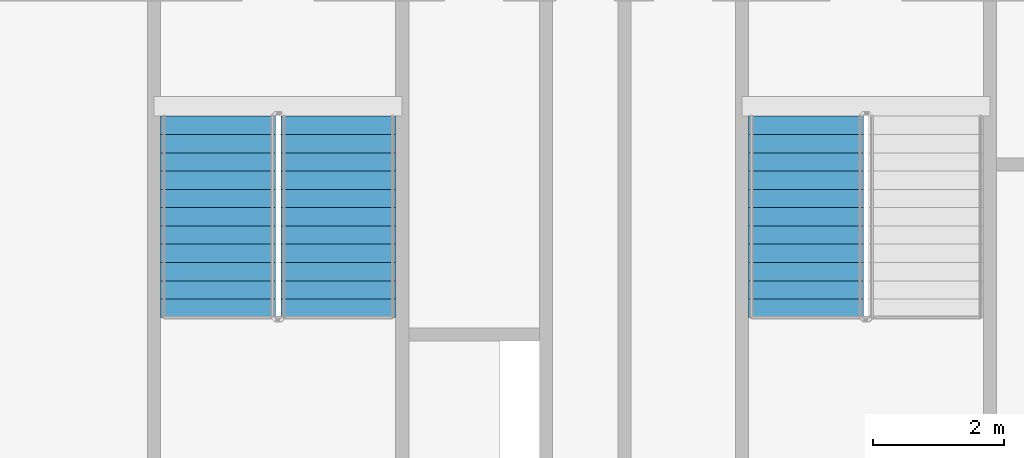
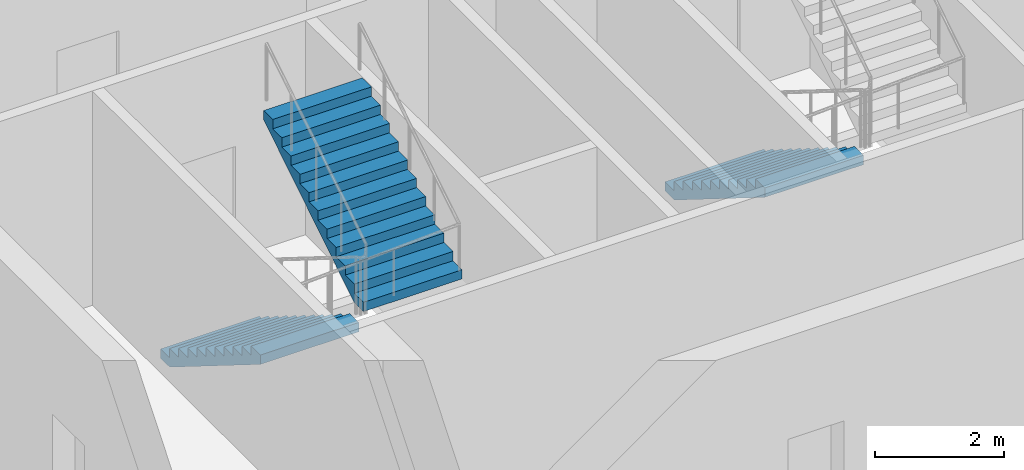
# One storey, part 26 of 33: 3 stair flights, 2 elements without a shape of their own.
"""IFC4 building model written with IfcOpenShell, lengths in metres."""

from ifc_helpers import new_model, si_unit, direction, frame, origin, place, context, subcontext, project, spatial, faceted_brep, material, type_object, element, aggregate, save


model = new_model("IFC4")

# Units and contexts
model_context = context("Model", 3, precision=1e-05, world=origin(), true_north=direction((0.0, 1.0)))
body_context = subcontext(model_context, "Body", "Model", "MODEL_VIEW")
ifc_project = project(units=[si_unit("LENGTHUNIT", "METRE"), si_unit("AREAUNIT", "SQUARE_METRE"), si_unit("VOLUMEUNIT", "CUBIC_METRE"), si_unit("PLANEANGLEUNIT", "RADIAN"), si_unit("MASSUNIT", "GRAM", prefix="KILO")], contexts=[model_context])

# Site, building, storey
site_placement = place(None, origin())
site = spatial("IfcSite", under=ifc_project, at=site_placement, CompositionType="ELEMENT")
building_placement = place(site_placement, origin())
building = spatial("IfcBuilding", under=site, at=building_placement, Name="Tarsis Ring Headquarters", CompositionType="ELEMENT")
storey_placement = place(building_placement, frame((0.0, 0.0, 369.199951171875)))
storey = spatial("IfcBuildingStorey", under=building, at=storey_placement, Name="L87", CompositionType="ELEMENT", Elevation=369.199951171875)

# Stair, stair flights
ifc_material_1 = material(Name="Core stair 1760")
stair_type = type_object("IfcStairType", Name="Core stair 1760", PredefinedType="HALF_TURN_STAIR", material=ifc_material_1)
stair_1_placement = place(storey_placement, origin())
stair_1 = element("IfcStair", 1, at=stair_1_placement, inside=storey, type_object=stair_type, Name="L87 Exit stair C", PredefinedType="HALF_TURN_STAIR")
ifc_material_2 = material(Name="Concrete C40/50", Category="concrete")
stair_flight_type = type_object("IfcStairFlightType", Name="Core stair flight 1760", PredefinedType="STRAIGHT", material=ifc_material_2)
stair_flight_1_placement = place(storey_placement, frame((-5.419921875, -3.659912109375, 0.0), z_axis=(0.0, 0.0, 1.0), x_axis=(0.0, -1.0, 0.0)))
stair_flight_1 = element("IfcStairFlight", 2, at=stair_flight_1_placement, type_object=stair_flight_type, Name="Stair ST3 flight 1", NumberOfRisers=12, NumberOfTreads=11, PredefinedType="STRAIGHT", RiserHeight=0.175, TreadLength=0.28, context=body_context, shape_type="Brep", body=[
    faceted_brep([(0.0, 0.8798828125, 0.0), (0.0, 0.8798828125, 0.175048828125), (0.280029296875, 0.8798828125, 0.175048828125), (0.280029296875, 0.8798828125, 0.35009765625), (0.56005859375, 0.8798828125, 0.35009765625), (0.56005859375, 0.8798828125, 0.52490234375), (0.840087890625, 0.8798828125, 0.52490234375), (0.840087890625, 0.8798828125, 0.699951171875), (1.1201171875, 0.8798828125, 0.699951171875), (1.1201171875, 0.8798828125, 0.875), (1.39990234375, 0.8798828125, 0.875), (1.39990234375, 0.8798828125, 1.050048828125), (1.679931640625, 0.8798828125, 1.050048828125), (1.679931640625, 0.8798828125, 1.22509765625), (1.9599609375, 0.8798828125, 1.22509765625), (1.9599609375, 0.8798828125, 1.39990234375), (2.239990234375, 0.8798828125, 1.39990234375), (2.239990234375, 0.8798828125, 1.574951171875), (2.52001953125, 0.8798828125, 1.574951171875), (2.52001953125, 0.8798828125, 1.75), (2.800048828125, 0.8798828125, 1.75), (2.800048828125, 0.8798828125, 1.925048828125), (3.080078125, 0.8798828125, 1.925048828125), (3.080078125, 0.8798828125, 1.748291015625), (0.28271484375, 0.8798828125, 0.0), (0.28271484375, -0.8798828125, 0.0), (3.080078125, -0.8798828125, 1.748291015625), (3.080078125, -0.8798828125, 1.925048828125), (2.800048828125, -0.8798828125, 1.925048828125), (2.800048828125, -0.8798828125, 1.75), (2.52001953125, -0.8798828125, 1.75), (2.52001953125, -0.8798828125, 1.574951171875), (2.239990234375, -0.8798828125, 1.574951171875), (2.239990234375, -0.8798828125, 1.39990234375), (1.9599609375, -0.8798828125, 1.39990234375), (1.9599609375, -0.8798828125, 1.22509765625), (1.679931640625, -0.8798828125, 1.22509765625), (1.679931640625, -0.8798828125, 1.050048828125), (1.39990234375, -0.8798828125, 1.050048828125), (1.39990234375, -0.8798828125, 0.875), (1.1201171875, -0.8798828125, 0.875), (1.1201171875, -0.8798828125, 0.699951171875), (0.840087890625, -0.8798828125, 0.699951171875), (0.840087890625, -0.8798828125, 0.52490234375), (0.56005859375, -0.8798828125, 0.52490234375), (0.56005859375, -0.8798828125, 0.35009765625), (0.280029296875, -0.8798828125, 0.35009765625), (0.280029296875, -0.8798828125, 0.175048828125), (0.0, -0.8798828125, 0.175048828125), (0.0, -0.8798828125, 0.0), (0.0, -0.43994140625, 0.175048828125), (0.0, -0.43994140625, 0.0), (0.0, 0.0, 0.175048828125), (0.0, 0.0, 0.0), (0.0, 0.43994140625, 0.175048828125), (0.0, 0.43994140625, 0.0), (0.280029296875, -0.43994140625, 0.175048828125), (0.280029296875, 0.0, 0.175048828125), (0.280029296875, 0.43994140625, 0.175048828125), (0.280029296875, -0.43994140625, 0.35009765625), (0.280029296875, 0.0, 0.35009765625), (0.280029296875, 0.43994140625, 0.35009765625), (0.56005859375, -0.43994140625, 0.35009765625), (0.56005859375, 0.0, 0.35009765625), (0.56005859375, 0.43994140625, 0.35009765625), (0.56005859375, -0.43994140625, 0.52490234375), (0.56005859375, 0.0, 0.52490234375), (0.56005859375, 0.43994140625, 0.52490234375), (0.840087890625, -0.43994140625, 0.52490234375), (0.840087890625, 0.0, 0.52490234375), (0.840087890625, 0.43994140625, 0.52490234375), (0.840087890625, -0.43994140625, 0.699951171875), (0.840087890625, 0.0, 0.699951171875), (0.840087890625, 0.43994140625, 0.699951171875), (1.1201171875, -0.43994140625, 0.699951171875), (1.1201171875, 0.0, 0.699951171875), (1.1201171875, 0.43994140625, 0.699951171875), (1.1201171875, -0.43994140625, 0.875), (1.1201171875, 0.0, 0.875), (1.1201171875, 0.43994140625, 0.875), (1.39990234375, -0.43994140625, 0.875), (1.39990234375, 0.0, 0.875), (1.39990234375, 0.43994140625, 0.875), (1.39990234375, -0.43994140625, 1.050048828125), (1.39990234375, 0.0, 1.050048828125), (1.39990234375, 0.43994140625, 1.050048828125), (1.679931640625, -0.43994140625, 1.050048828125), (1.679931640625, 0.0, 1.050048828125), (1.679931640625, 0.43994140625, 1.050048828125), (1.679931640625, -0.43994140625, 1.22509765625), (1.679931640625, 0.0, 1.22509765625), (1.679931640625, 0.43994140625, 1.22509765625), (1.9599609375, -0.43994140625, 1.22509765625), (1.9599609375, 0.0, 1.22509765625), (1.9599609375, 0.43994140625, 1.22509765625), (1.9599609375, -0.43994140625, 1.39990234375), (1.9599609375, 0.0, 1.39990234375), (1.9599609375, 0.43994140625, 1.39990234375), (2.239990234375, -0.43994140625, 1.39990234375), (2.239990234375, 0.0, 1.39990234375), (2.239990234375, 0.43994140625, 1.39990234375), (2.239990234375, -0.43994140625, 1.574951171875), (2.239990234375, 0.0, 1.574951171875), (2.239990234375, 0.43994140625, 1.574951171875), (2.52001953125, -0.43994140625, 1.574951171875), (2.52001953125, 0.0, 1.574951171875), (2.52001953125, 0.43994140625, 1.574951171875), (2.52001953125, -0.43994140625, 1.75), (2.52001953125, 0.0, 1.75), (2.52001953125, 0.43994140625, 1.75), (2.800048828125, -0.43994140625, 1.75), (2.800048828125, 0.0, 1.75), (2.800048828125, 0.43994140625, 1.75), (2.800048828125, -0.43994140625, 1.925048828125), (2.800048828125, 0.0, 1.925048828125), (2.800048828125, 0.43994140625, 1.925048828125), (3.080078125, -0.43994140625, 1.925048828125), (3.080078125, 0.0, 1.925048828125), (3.080078125, 0.43994140625, 1.925048828125), (3.080078125, -0.43994140625, 1.748291015625), (3.080078125, 0.0, 1.748291015625), (3.080078125, 0.43994140625, 1.748291015625), (0.28271484375, -0.43994140625, 0.0), (0.28271484375, 0.0, 0.0), (0.28271484375, 0.43994140625, 0.0)], [[[0, 1, 2, 3, 4, 5, 6, 7, 8, 9, 10, 11, 12, 13, 14, 15, 16, 17, 18, 19, 20, 21, 22, 23, 24]], [[25, 26, 27, 28, 29, 30, 31, 32, 33, 34, 35, 36, 37, 38, 39, 40, 41, 42, 43, 44, 45, 46, 47, 48, 49]], [[49, 48, 50, 51]], [[51, 50, 52, 53]], [[53, 52, 54, 55]], [[55, 54, 1, 0]], [[48, 47, 56, 50]], [[50, 56, 57, 52]], [[52, 57, 58, 54]], [[54, 58, 2, 1]], [[47, 46, 59, 56]], [[56, 59, 60, 57]], [[57, 60, 61, 58]], [[58, 61, 3, 2]], [[46, 45, 62, 59]], [[59, 62, 63, 60]], [[60, 63, 64, 61]], [[61, 64, 4, 3]], [[45, 44, 65, 62]], [[62, 65, 66, 63]], [[63, 66, 67, 64]], [[64, 67, 5, 4]], [[44, 43, 68, 65]], [[65, 68, 69, 66]], [[66, 69, 70, 67]], [[67, 70, 6, 5]], [[43, 42, 71, 68]], [[68, 71, 72, 69]], [[69, 72, 73, 70]], [[70, 73, 7, 6]], [[42, 41, 74, 71]], [[71, 74, 75, 72]], [[72, 75, 76, 73]], [[73, 76, 8, 7]], [[41, 40, 77, 74]], [[74, 77, 78, 75]], [[75, 78, 79, 76]], [[76, 79, 9, 8]], [[40, 39, 80, 77]], [[77, 80, 81, 78]], [[78, 81, 82, 79]], [[79, 82, 10, 9]], [[39, 38, 83, 80]], [[80, 83, 84, 81]], [[81, 84, 85, 82]], [[82, 85, 11, 10]], [[38, 37, 86, 83]], [[83, 86, 87, 84]], [[84, 87, 88, 85]], [[85, 88, 12, 11]], [[37, 36, 89, 86]], [[86, 89, 90, 87]], [[87, 90, 91, 88]], [[88, 91, 13, 12]], [[36, 35, 92, 89]], [[89, 92, 93, 90]], [[90, 93, 94, 91]], [[91, 94, 14, 13]], [[35, 34, 95, 92]], [[92, 95, 96, 93]], [[93, 96, 97, 94]], [[94, 97, 15, 14]], [[34, 33, 98, 95]], [[95, 98, 99, 96]], [[96, 99, 100, 97]], [[97, 100, 16, 15]], [[33, 32, 101, 98]], [[98, 101, 102, 99]], [[99, 102, 103, 100]], [[100, 103, 17, 16]], [[32, 31, 104, 101]], [[101, 104, 105, 102]], [[102, 105, 106, 103]], [[103, 106, 18, 17]], [[31, 30, 107, 104]], [[104, 107, 108, 105]], [[105, 108, 109, 106]], [[106, 109, 19, 18]], [[30, 29, 110, 107]], [[107, 110, 111, 108]], [[108, 111, 112, 109]], [[109, 112, 20, 19]], [[29, 28, 113, 110]], [[110, 113, 114, 111]], [[111, 114, 115, 112]], [[112, 115, 21, 20]], [[28, 27, 116, 113]], [[113, 116, 117, 114]], [[114, 117, 118, 115]], [[115, 118, 22, 21]], [[27, 26, 119, 116]], [[116, 119, 120, 117]], [[117, 120, 121, 118]], [[118, 121, 23, 22]], [[26, 25, 122, 119]], [[119, 122, 123, 120]], [[120, 123, 124, 121]], [[121, 124, 24, 23]], [[25, 49, 51, 122]], [[122, 51, 53, 123]], [[123, 53, 55, 124]], [[124, 55, 0, 24]]]),
])
stair_flight_2_placement = place(storey_placement, frame((-3.580078125, -6.739990234375, 2.10009765625), z_axis=(0.0, 0.0, 1.0), x_axis=(0.0, 1.0, 0.0)))
stair_flight_2 = element("IfcStairFlight", 3, at=stair_flight_2_placement, type_object=stair_flight_type, Name="Stair ST3 flight 2", NumberOfRisers=12, NumberOfTreads=11, PredefinedType="STRAIGHT", RiserHeight=0.175, TreadLength=0.28, context=body_context, shape_type="Brep", body=[
    faceted_brep([(0.0, 0.8798828125, 0.0), (0.0, 0.8798828125, 0.175048828125), (0.280029296875, 0.8798828125, 0.175048828125), (0.280029296875, 0.8798828125, 0.35009765625), (0.56005859375, 0.8798828125, 0.35009765625), (0.56005859375, 0.8798828125, 0.52490234375), (0.840087890625, 0.8798828125, 0.52490234375), (0.840087890625, 0.8798828125, 0.699951171875), (1.1201171875, 0.8798828125, 0.699951171875), (1.1201171875, 0.8798828125, 0.875), (1.39990234375, 0.8798828125, 0.875), (1.39990234375, 0.8798828125, 1.050048828125), (1.679931640625, 0.8798828125, 1.050048828125), (1.679931640625, 0.8798828125, 1.22509765625), (1.9599609375, 0.8798828125, 1.22509765625), (1.9599609375, 0.8798828125, 1.39990234375), (2.239990234375, 0.8798828125, 1.39990234375), (2.239990234375, 0.8798828125, 1.574951171875), (2.52001953125, 0.8798828125, 1.574951171875), (2.52001953125, 0.8798828125, 1.75), (2.800048828125, 0.8798828125, 1.75), (2.800048828125, 0.8798828125, 1.925048828125), (3.080078125, 0.8798828125, 1.925048828125), (3.080078125, 0.8798828125, 1.748291015625), (0.28271484375, 0.8798828125, 0.0), (0.28271484375, -0.8798828125, 0.0), (3.080078125, -0.8798828125, 1.748291015625), (3.080078125, -0.8798828125, 1.925048828125), (2.800048828125, -0.8798828125, 1.925048828125), (2.800048828125, -0.8798828125, 1.75), (2.52001953125, -0.8798828125, 1.75), (2.52001953125, -0.8798828125, 1.574951171875), (2.239990234375, -0.8798828125, 1.574951171875), (2.239990234375, -0.8798828125, 1.39990234375), (1.9599609375, -0.8798828125, 1.39990234375), (1.9599609375, -0.8798828125, 1.22509765625), (1.679931640625, -0.8798828125, 1.22509765625), (1.679931640625, -0.8798828125, 1.050048828125), (1.39990234375, -0.8798828125, 1.050048828125), (1.39990234375, -0.8798828125, 0.875), (1.1201171875, -0.8798828125, 0.875), (1.1201171875, -0.8798828125, 0.699951171875), (0.840087890625, -0.8798828125, 0.699951171875), (0.840087890625, -0.8798828125, 0.52490234375), (0.56005859375, -0.8798828125, 0.52490234375), (0.56005859375, -0.8798828125, 0.35009765625), (0.280029296875, -0.8798828125, 0.35009765625), (0.280029296875, -0.8798828125, 0.175048828125), (0.0, -0.8798828125, 0.175048828125), (0.0, -0.8798828125, 0.0), (0.0, -0.43994140625, 0.175048828125), (0.0, -0.43994140625, 0.0), (0.0, 0.0, 0.175048828125), (0.0, 0.0, 0.0), (0.0, 0.43994140625, 0.175048828125), (0.0, 0.43994140625, 0.0), (0.280029296875, -0.43994140625, 0.175048828125), (0.280029296875, 0.0, 0.175048828125), (0.280029296875, 0.43994140625, 0.175048828125), (0.280029296875, -0.43994140625, 0.35009765625), (0.280029296875, 0.0, 0.35009765625), (0.280029296875, 0.43994140625, 0.35009765625), (0.56005859375, -0.43994140625, 0.35009765625), (0.56005859375, 0.0, 0.35009765625), (0.56005859375, 0.43994140625, 0.35009765625), (0.56005859375, -0.43994140625, 0.52490234375), (0.56005859375, 0.0, 0.52490234375), (0.56005859375, 0.43994140625, 0.52490234375), (0.840087890625, -0.43994140625, 0.52490234375), (0.840087890625, 0.0, 0.52490234375), (0.840087890625, 0.43994140625, 0.52490234375), (0.840087890625, -0.43994140625, 0.699951171875), (0.840087890625, 0.0, 0.699951171875), (0.840087890625, 0.43994140625, 0.699951171875), (1.1201171875, -0.43994140625, 0.699951171875), (1.1201171875, 0.0, 0.699951171875), (1.1201171875, 0.43994140625, 0.699951171875), (1.1201171875, -0.43994140625, 0.875), (1.1201171875, 0.0, 0.875), (1.1201171875, 0.43994140625, 0.875), (1.39990234375, -0.43994140625, 0.875), (1.39990234375, 0.0, 0.875), (1.39990234375, 0.43994140625, 0.875), (1.39990234375, -0.43994140625, 1.050048828125), (1.39990234375, 0.0, 1.050048828125), (1.39990234375, 0.43994140625, 1.050048828125), (1.679931640625, -0.43994140625, 1.050048828125), (1.679931640625, 0.0, 1.050048828125), (1.679931640625, 0.43994140625, 1.050048828125), (1.679931640625, -0.43994140625, 1.22509765625), (1.679931640625, 0.0, 1.22509765625), (1.679931640625, 0.43994140625, 1.22509765625), (1.9599609375, -0.43994140625, 1.22509765625), (1.9599609375, 0.0, 1.22509765625), (1.9599609375, 0.43994140625, 1.22509765625), (1.9599609375, -0.43994140625, 1.39990234375), (1.9599609375, 0.0, 1.39990234375), (1.9599609375, 0.43994140625, 1.39990234375), (2.239990234375, -0.43994140625, 1.39990234375), (2.239990234375, 0.0, 1.39990234375), (2.239990234375, 0.43994140625, 1.39990234375), (2.239990234375, -0.43994140625, 1.574951171875), (2.239990234375, 0.0, 1.574951171875), (2.239990234375, 0.43994140625, 1.574951171875), (2.52001953125, -0.43994140625, 1.574951171875), (2.52001953125, 0.0, 1.574951171875), (2.52001953125, 0.43994140625, 1.574951171875), (2.52001953125, -0.43994140625, 1.75), (2.52001953125, 0.0, 1.75), (2.52001953125, 0.43994140625, 1.75), (2.800048828125, -0.43994140625, 1.75), (2.800048828125, 0.0, 1.75), (2.800048828125, 0.43994140625, 1.75), (2.800048828125, -0.43994140625, 1.925048828125), (2.800048828125, 0.0, 1.925048828125), (2.800048828125, 0.43994140625, 1.925048828125), (3.080078125, -0.43994140625, 1.925048828125), (3.080078125, 0.0, 1.925048828125), (3.080078125, 0.43994140625, 1.925048828125), (3.080078125, -0.43994140625, 1.748291015625), (3.080078125, 0.0, 1.748291015625), (3.080078125, 0.43994140625, 1.748291015625), (0.28271484375, -0.43994140625, 0.0), (0.28271484375, 0.0, 0.0), (0.28271484375, 0.43994140625, 0.0)], [[[0, 1, 2, 3, 4, 5, 6, 7, 8, 9, 10, 11, 12, 13, 14, 15, 16, 17, 18, 19, 20, 21, 22, 23, 24]], [[25, 26, 27, 28, 29, 30, 31, 32, 33, 34, 35, 36, 37, 38, 39, 40, 41, 42, 43, 44, 45, 46, 47, 48, 49]], [[49, 48, 50, 51]], [[51, 50, 52, 53]], [[53, 52, 54, 55]], [[55, 54, 1, 0]], [[48, 47, 56, 50]], [[50, 56, 57, 52]], [[52, 57, 58, 54]], [[54, 58, 2, 1]], [[47, 46, 59, 56]], [[56, 59, 60, 57]], [[57, 60, 61, 58]], [[58, 61, 3, 2]], [[46, 45, 62, 59]], [[59, 62, 63, 60]], [[60, 63, 64, 61]], [[61, 64, 4, 3]], [[45, 44, 65, 62]], [[62, 65, 66, 63]], [[63, 66, 67, 64]], [[64, 67, 5, 4]], [[44, 43, 68, 65]], [[65, 68, 69, 66]], [[66, 69, 70, 67]], [[67, 70, 6, 5]], [[43, 42, 71, 68]], [[68, 71, 72, 69]], [[69, 72, 73, 70]], [[70, 73, 7, 6]], [[42, 41, 74, 71]], [[71, 74, 75, 72]], [[72, 75, 76, 73]], [[73, 76, 8, 7]], [[41, 40, 77, 74]], [[74, 77, 78, 75]], [[75, 78, 79, 76]], [[76, 79, 9, 8]], [[40, 39, 80, 77]], [[77, 80, 81, 78]], [[78, 81, 82, 79]], [[79, 82, 10, 9]], [[39, 38, 83, 80]], [[80, 83, 84, 81]], [[81, 84, 85, 82]], [[82, 85, 11, 10]], [[38, 37, 86, 83]], [[83, 86, 87, 84]], [[84, 87, 88, 85]], [[85, 88, 12, 11]], [[37, 36, 89, 86]], [[86, 89, 90, 87]], [[87, 90, 91, 88]], [[88, 91, 13, 12]], [[36, 35, 92, 89]], [[89, 92, 93, 90]], [[90, 93, 94, 91]], [[91, 94, 14, 13]], [[35, 34, 95, 92]], [[92, 95, 96, 93]], [[93, 96, 97, 94]], [[94, 97, 15, 14]], [[34, 33, 98, 95]], [[95, 98, 99, 96]], [[96, 99, 100, 97]], [[97, 100, 16, 15]], [[33, 32, 101, 98]], [[98, 101, 102, 99]], [[99, 102, 103, 100]], [[100, 103, 17, 16]], [[32, 31, 104, 101]], [[101, 104, 105, 102]], [[102, 105, 106, 103]], [[103, 106, 18, 17]], [[31, 30, 107, 104]], [[104, 107, 108, 105]], [[105, 108, 109, 106]], [[106, 109, 19, 18]], [[30, 29, 110, 107]], [[107, 110, 111, 108]], [[108, 111, 112, 109]], [[109, 112, 20, 19]], [[29, 28, 113, 110]], [[110, 113, 114, 111]], [[111, 114, 115, 112]], [[112, 115, 21, 20]], [[28, 27, 116, 113]], [[113, 116, 117, 114]], [[114, 117, 118, 115]], [[115, 118, 22, 21]], [[27, 26, 119, 116]], [[116, 119, 120, 117]], [[117, 120, 121, 118]], [[118, 121, 23, 22]], [[26, 25, 122, 119]], [[119, 122, 123, 120]], [[120, 123, 124, 121]], [[121, 124, 24, 23]], [[25, 49, 51, 122]], [[122, 51, 53, 123]], [[123, 53, 55, 124]], [[124, 55, 0, 24]]]),
])
aggregate(stair_1, [stair_flight_1, stair_flight_2])

# Stair, stair flight
stair_2_placement = place(storey_placement, origin())
stair_2 = element("IfcStair", 4, at=stair_2_placement, inside=storey, type_object=stair_type, Name="L87 Exit stair D", PredefinedType="HALF_TURN_STAIR")
stair_flight_3_placement = place(storey_placement, frame((3.580078125, -3.659912109375, 0.0), z_axis=(0.0, 0.0, 1.0), x_axis=(0.0, -1.0, 0.0)))
stair_flight_3 = element("IfcStairFlight", 5, at=stair_flight_3_placement, type_object=stair_flight_type, Name="Stair ST4 flight 1", NumberOfRisers=12, NumberOfTreads=11, PredefinedType="STRAIGHT", RiserHeight=0.175, TreadLength=0.28, context=body_context, shape_type="Brep", body=[
    faceted_brep([(0.0, 0.8798828125, 0.0), (0.0, 0.8798828125, 0.175048828125), (0.280029296875, 0.8798828125, 0.175048828125), (0.280029296875, 0.8798828125, 0.35009765625), (0.56005859375, 0.8798828125, 0.35009765625), (0.56005859375, 0.8798828125, 0.52490234375), (0.840087890625, 0.8798828125, 0.52490234375), (0.840087890625, 0.8798828125, 0.699951171875), (1.1201171875, 0.8798828125, 0.699951171875), (1.1201171875, 0.8798828125, 0.875), (1.39990234375, 0.8798828125, 0.875), (1.39990234375, 0.8798828125, 1.050048828125), (1.679931640625, 0.8798828125, 1.050048828125), (1.679931640625, 0.8798828125, 1.22509765625), (1.9599609375, 0.8798828125, 1.22509765625), (1.9599609375, 0.8798828125, 1.39990234375), (2.239990234375, 0.8798828125, 1.39990234375), (2.239990234375, 0.8798828125, 1.574951171875), (2.52001953125, 0.8798828125, 1.574951171875), (2.52001953125, 0.8798828125, 1.75), (2.800048828125, 0.8798828125, 1.75), (2.800048828125, 0.8798828125, 1.925048828125), (3.080078125, 0.8798828125, 1.925048828125), (3.080078125, 0.8798828125, 1.748291015625), (0.28271484375, 0.8798828125, 0.0), (0.28271484375, -0.8798828125, 0.0), (3.080078125, -0.8798828125, 1.748291015625), (3.080078125, -0.8798828125, 1.925048828125), (2.800048828125, -0.8798828125, 1.925048828125), (2.800048828125, -0.8798828125, 1.75), (2.52001953125, -0.8798828125, 1.75), (2.52001953125, -0.8798828125, 1.574951171875), (2.239990234375, -0.8798828125, 1.574951171875), (2.239990234375, -0.8798828125, 1.39990234375), (1.9599609375, -0.8798828125, 1.39990234375), (1.9599609375, -0.8798828125, 1.22509765625), (1.679931640625, -0.8798828125, 1.22509765625), (1.679931640625, -0.8798828125, 1.050048828125), (1.39990234375, -0.8798828125, 1.050048828125), (1.39990234375, -0.8798828125, 0.875), (1.1201171875, -0.8798828125, 0.875), (1.1201171875, -0.8798828125, 0.699951171875), (0.840087890625, -0.8798828125, 0.699951171875), (0.840087890625, -0.8798828125, 0.52490234375), (0.56005859375, -0.8798828125, 0.52490234375), (0.56005859375, -0.8798828125, 0.35009765625), (0.280029296875, -0.8798828125, 0.35009765625), (0.280029296875, -0.8798828125, 0.175048828125), (0.0, -0.8798828125, 0.175048828125), (0.0, -0.8798828125, 0.0), (0.0, -0.43994140625, 0.175048828125), (0.0, -0.43994140625, 0.0), (0.0, 0.0, 0.175048828125), (0.0, 0.0, 0.0), (0.0, 0.43994140625, 0.175048828125), (0.0, 0.43994140625, 0.0), (0.280029296875, -0.43994140625, 0.175048828125), (0.280029296875, 0.0, 0.175048828125), (0.280029296875, 0.43994140625, 0.175048828125), (0.280029296875, -0.43994140625, 0.35009765625), (0.280029296875, 0.0, 0.35009765625), (0.280029296875, 0.43994140625, 0.35009765625), (0.56005859375, -0.43994140625, 0.35009765625), (0.56005859375, 0.0, 0.35009765625), (0.56005859375, 0.43994140625, 0.35009765625), (0.56005859375, -0.43994140625, 0.52490234375), (0.56005859375, 0.0, 0.52490234375), (0.56005859375, 0.43994140625, 0.52490234375), (0.840087890625, -0.43994140625, 0.52490234375), (0.840087890625, 0.0, 0.52490234375), (0.840087890625, 0.43994140625, 0.52490234375), (0.840087890625, -0.43994140625, 0.699951171875), (0.840087890625, 0.0, 0.699951171875), (0.840087890625, 0.43994140625, 0.699951171875), (1.1201171875, -0.43994140625, 0.699951171875), (1.1201171875, 0.0, 0.699951171875), (1.1201171875, 0.43994140625, 0.699951171875), (1.1201171875, -0.43994140625, 0.875), (1.1201171875, 0.0, 0.875), (1.1201171875, 0.43994140625, 0.875), (1.39990234375, -0.43994140625, 0.875), (1.39990234375, 0.0, 0.875), (1.39990234375, 0.43994140625, 0.875), (1.39990234375, -0.43994140625, 1.050048828125), (1.39990234375, 0.0, 1.050048828125), (1.39990234375, 0.43994140625, 1.050048828125), (1.679931640625, -0.43994140625, 1.050048828125), (1.679931640625, 0.0, 1.050048828125), (1.679931640625, 0.43994140625, 1.050048828125), (1.679931640625, -0.43994140625, 1.22509765625), (1.679931640625, 0.0, 1.22509765625), (1.679931640625, 0.43994140625, 1.22509765625), (1.9599609375, -0.43994140625, 1.22509765625), (1.9599609375, 0.0, 1.22509765625), (1.9599609375, 0.43994140625, 1.22509765625), (1.9599609375, -0.43994140625, 1.39990234375), (1.9599609375, 0.0, 1.39990234375), (1.9599609375, 0.43994140625, 1.39990234375), (2.239990234375, -0.43994140625, 1.39990234375), (2.239990234375, 0.0, 1.39990234375), (2.239990234375, 0.43994140625, 1.39990234375), (2.239990234375, -0.43994140625, 1.574951171875), (2.239990234375, 0.0, 1.574951171875), (2.239990234375, 0.43994140625, 1.574951171875), (2.52001953125, -0.43994140625, 1.574951171875), (2.52001953125, 0.0, 1.574951171875), (2.52001953125, 0.43994140625, 1.574951171875), (2.52001953125, -0.43994140625, 1.75), (2.52001953125, 0.0, 1.75), (2.52001953125, 0.43994140625, 1.75), (2.800048828125, -0.43994140625, 1.75), (2.800048828125, 0.0, 1.75), (2.800048828125, 0.43994140625, 1.75), (2.800048828125, -0.43994140625, 1.925048828125), (2.800048828125, 0.0, 1.925048828125), (2.800048828125, 0.43994140625, 1.925048828125), (3.080078125, -0.43994140625, 1.925048828125), (3.080078125, 0.0, 1.925048828125), (3.080078125, 0.43994140625, 1.925048828125), (3.080078125, -0.43994140625, 1.748291015625), (3.080078125, 0.0, 1.748291015625), (3.080078125, 0.43994140625, 1.748291015625), (0.28271484375, -0.43994140625, 0.0), (0.28271484375, 0.0, 0.0), (0.28271484375, 0.43994140625, 0.0)], [[[0, 1, 2, 3, 4, 5, 6, 7, 8, 9, 10, 11, 12, 13, 14, 15, 16, 17, 18, 19, 20, 21, 22, 23, 24]], [[25, 26, 27, 28, 29, 30, 31, 32, 33, 34, 35, 36, 37, 38, 39, 40, 41, 42, 43, 44, 45, 46, 47, 48, 49]], [[49, 48, 50, 51]], [[51, 50, 52, 53]], [[53, 52, 54, 55]], [[55, 54, 1, 0]], [[48, 47, 56, 50]], [[50, 56, 57, 52]], [[52, 57, 58, 54]], [[54, 58, 2, 1]], [[47, 46, 59, 56]], [[56, 59, 60, 57]], [[57, 60, 61, 58]], [[58, 61, 3, 2]], [[46, 45, 62, 59]], [[59, 62, 63, 60]], [[60, 63, 64, 61]], [[61, 64, 4, 3]], [[45, 44, 65, 62]], [[62, 65, 66, 63]], [[63, 66, 67, 64]], [[64, 67, 5, 4]], [[44, 43, 68, 65]], [[65, 68, 69, 66]], [[66, 69, 70, 67]], [[67, 70, 6, 5]], [[43, 42, 71, 68]], [[68, 71, 72, 69]], [[69, 72, 73, 70]], [[70, 73, 7, 6]], [[42, 41, 74, 71]], [[71, 74, 75, 72]], [[72, 75, 76, 73]], [[73, 76, 8, 7]], [[41, 40, 77, 74]], [[74, 77, 78, 75]], [[75, 78, 79, 76]], [[76, 79, 9, 8]], [[40, 39, 80, 77]], [[77, 80, 81, 78]], [[78, 81, 82, 79]], [[79, 82, 10, 9]], [[39, 38, 83, 80]], [[80, 83, 84, 81]], [[81, 84, 85, 82]], [[82, 85, 11, 10]], [[38, 37, 86, 83]], [[83, 86, 87, 84]], [[84, 87, 88, 85]], [[85, 88, 12, 11]], [[37, 36, 89, 86]], [[86, 89, 90, 87]], [[87, 90, 91, 88]], [[88, 91, 13, 12]], [[36, 35, 92, 89]], [[89, 92, 93, 90]], [[90, 93, 94, 91]], [[91, 94, 14, 13]], [[35, 34, 95, 92]], [[92, 95, 96, 93]], [[93, 96, 97, 94]], [[94, 97, 15, 14]], [[34, 33, 98, 95]], [[95, 98, 99, 96]], [[96, 99, 100, 97]], [[97, 100, 16, 15]], [[33, 32, 101, 98]], [[98, 101, 102, 99]], [[99, 102, 103, 100]], [[100, 103, 17, 16]], [[32, 31, 104, 101]], [[101, 104, 105, 102]], [[102, 105, 106, 103]], [[103, 106, 18, 17]], [[31, 30, 107, 104]], [[104, 107, 108, 105]], [[105, 108, 109, 106]], [[106, 109, 19, 18]], [[30, 29, 110, 107]], [[107, 110, 111, 108]], [[108, 111, 112, 109]], [[109, 112, 20, 19]], [[29, 28, 113, 110]], [[110, 113, 114, 111]], [[111, 114, 115, 112]], [[112, 115, 21, 20]], [[28, 27, 116, 113]], [[113, 116, 117, 114]], [[114, 117, 118, 115]], [[115, 118, 22, 21]], [[27, 26, 119, 116]], [[116, 119, 120, 117]], [[117, 120, 121, 118]], [[118, 121, 23, 22]], [[26, 25, 122, 119]], [[119, 122, 123, 120]], [[120, 123, 124, 121]], [[121, 124, 24, 23]], [[25, 49, 51, 122]], [[122, 51, 53, 123]], [[123, 53, 55, 124]], [[124, 55, 0, 24]]]),
])
aggregate(stair_2, [stair_flight_3])

save(model, "model.ifc")
